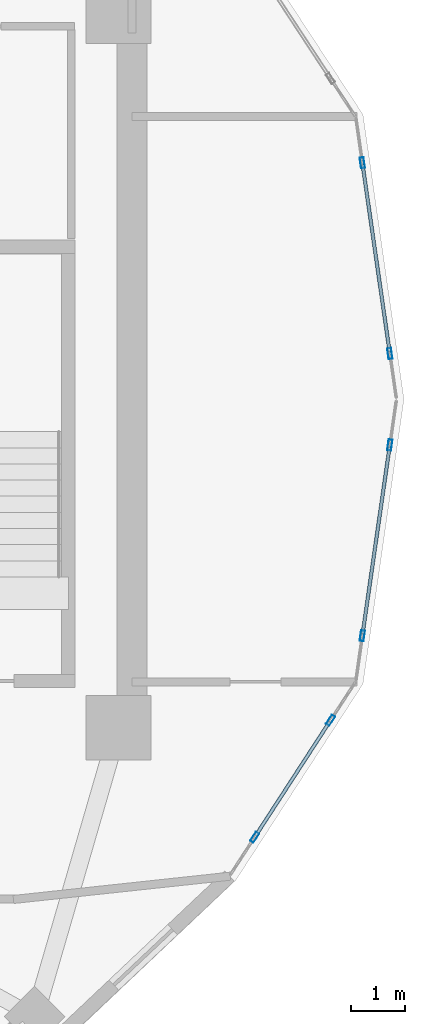
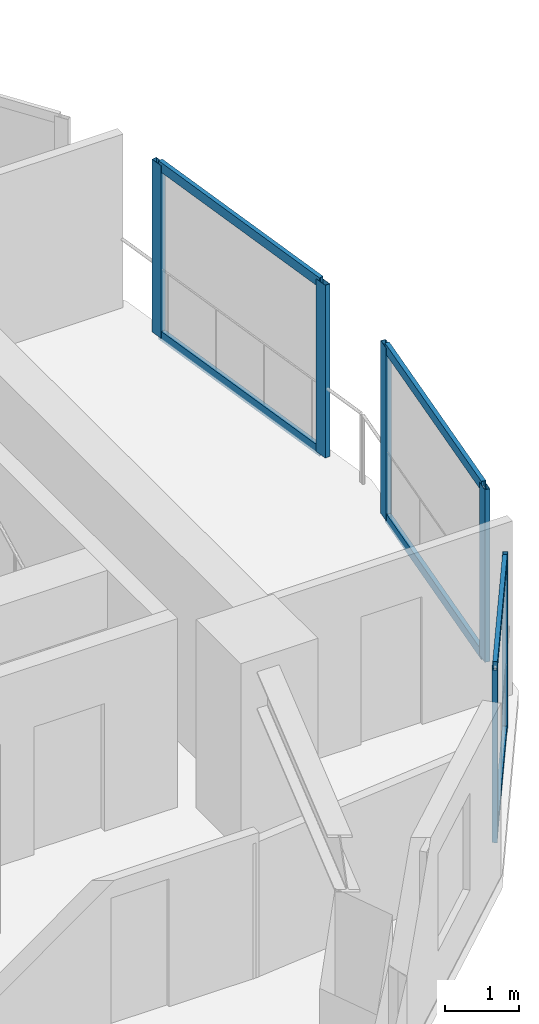
# One storey, part 3 of 12: 12 members, 3 elements without a shape of their own.
"""IFC4 building model written with IfcOpenShell, lengths in metres."""

from ifc_helpers import new_model, si_unit, direction, frame, origin, origin_2d, place, context, subcontext, project, spatial, hollow_rectangle, extrude, material, layer, layer_set, material_profile, profile_set, type_object, element, aggregate, save


model = new_model("IFC4")

# Units and contexts
model_context = context("Model", 3, precision=1e-05, world=origin(), true_north=direction((0.0, 1.0)))
body_context = subcontext(model_context, "Body", "Model", "MODEL_VIEW")
ifc_project = project(units=[si_unit("LENGTHUNIT", "METRE"), si_unit("AREAUNIT", "SQUARE_METRE"), si_unit("VOLUMEUNIT", "CUBIC_METRE"), si_unit("PLANEANGLEUNIT", "RADIAN"), si_unit("MASSUNIT", "GRAM", prefix="KILO")], contexts=[model_context])

# Site, building, storey
site_placement = place(None, origin())
site = spatial("IfcSite", under=ifc_project, at=site_placement, CompositionType="ELEMENT")
building_placement = place(site_placement, origin())
building = spatial("IfcBuilding", under=site, at=building_placement, Name="Solvane Sanctuary Tower", CompositionType="ELEMENT")
storey_placement = place(building_placement, frame((0.0, 0.0, 214.0)))
storey = spatial("IfcBuildingStorey", under=building, at=storey_placement, Name="L65", CompositionType="ELEMENT", Elevation=214.0)

# Curtain wall, members
ifc_material = material(Name="Anodised Aluminium 6063-T6", Category="aluminium")
ifc_layer = layer(ifc_material, 0.2099609375, Name="Anodised Aluminium 6063-T6")
ifc_layer_set = layer_set([ifc_layer], Name="Anodised Aluminium 6063-T6")
curtain_wall_type = type_object("IfcCurtainWallType", Name="Curtain Wall CW-PORTAL", PredefinedType="NOTDEFINED", material=ifc_layer_set)
curtain_wall_1_placement = place(storey_placement, origin())
curtain_wall_1 = element("IfcCurtainWall", 1, at=curtain_wall_1_placement, inside=storey, type_object=curtain_wall_type, Name="L65 CW-PORTAL Facade Run 00", PredefinedType="NOTDEFINED")
ifc_material_profile_1 = material_profile(ifc_material, hollow_rectangle(XDim=0.074951171875, YDim=0.199951171875, WallThickness=0.00390625, at=origin_2d()), Name="ALU200X75X4")
ifc_profile_set_1 = profile_set([ifc_material_profile_1], Name="Anodised Aluminium 6063-T6")
member_type_1 = type_object("IfcMemberType", Name="Member M-CW-MUL-1 ALU200X75X4", PredefinedType="MULLION", material=ifc_profile_set_1)
member_1_placement = place(storey_placement, frame((53.737548828125, 23.8486328125, 0.0), z_axis=(0.0, 0.0, 1.0), x_axis=(-0.989765249591, -0.142705117998, 0.0)))
member_1 = element("IfcMember", 2, at=member_1_placement, type_object=member_type_1, Name="CW-PORTAL mullion 1", PredefinedType="MULLION", context=body_context, shape_type="SweptSolid", body=[
    extrude(hollow_rectangle(XDim=0.074951171875, YDim=0.199951171875, WallThickness=0.00390625, at=origin_2d()), origin(), (0.0, 0.0, 1.0), 2.840087890625),
])
member_2_placement = place(storey_placement, frame((53.22705078125, 27.39013671875, 0.0), z_axis=(0.0, 0.0, 1.0), x_axis=(-0.989765249591, -0.142705117998, 0.0)))
member_2 = element("IfcMember", 3, at=member_2_placement, type_object=member_type_1, Name="CW-PORTAL mullion 2", PredefinedType="MULLION", context=body_context, shape_type="SweptSolid", body=[
    extrude(hollow_rectangle(XDim=0.074951171875, YDim=0.199951171875, WallThickness=0.00390625, at=origin_2d()), origin(), (0.0, 0.0, 1.0), 2.840087890625),
])

curtain_wall_2_placement = place(storey_placement, origin())
curtain_wall_2 = element("IfcCurtainWall", 4, at=curtain_wall_2_placement, inside=storey, type_object=curtain_wall_type, Name="L65 CW-PORTAL Facade Run 22", PredefinedType="NOTDEFINED")
member_3_placement = place(storey_placement, frame((51.227783203125, 14.869873046875, 0.0), z_axis=(0.0, 0.0, 1.0), x_axis=(-0.838777857586, 0.54447378782, 0.0)))
member_3 = element("IfcMember", 5, at=member_3_placement, type_object=member_type_1, Name="CW-PORTAL mullion 1", PredefinedType="MULLION", context=body_context, shape_type="SweptSolid", body=[
    extrude(hollow_rectangle(XDim=0.074951171875, YDim=0.199951171875, WallThickness=0.00390625, at=origin_2d()), origin(), (0.0, 0.0, 1.0), 2.840087890625),
])
member_4_placement = place(storey_placement, frame((52.6376953125, 17.0419921875, 0.0), z_axis=(0.0, 0.0, 1.0), x_axis=(-0.838777857586, 0.54447378782, 0.0)))
member_4 = element("IfcMember", 6, at=member_4_placement, type_object=member_type_1, Name="CW-PORTAL mullion 2", PredefinedType="MULLION", context=body_context, shape_type="SweptSolid", body=[
    extrude(hollow_rectangle(XDim=0.074951171875, YDim=0.199951171875, WallThickness=0.00390625, at=origin_2d()), origin(), (0.0, 0.0, 1.0), 2.840087890625),
])

curtain_wall_3_placement = place(storey_placement, origin())
curtain_wall_3 = element("IfcCurtainWall", 7, at=curtain_wall_3_placement, inside=storey, type_object=curtain_wall_type, Name="L65 CW-PORTAL Facade Run 23", PredefinedType="NOTDEFINED")
member_5_placement = place(storey_placement, frame((53.22705078125, 18.60986328125, 0.0), z_axis=(0.0, 0.0, 1.0), x_axis=(-0.989765249591, 0.142705117998, 0.0)))
member_5 = element("IfcMember", 8, at=member_5_placement, type_object=member_type_1, Name="CW-PORTAL mullion 1", PredefinedType="MULLION", context=body_context, shape_type="SweptSolid", body=[
    extrude(hollow_rectangle(XDim=0.074951171875, YDim=0.199951171875, WallThickness=0.00390625, at=origin_2d()), origin(), (0.0, 0.0, 1.0), 2.840087890625),
])
member_6_placement = place(storey_placement, frame((53.737548828125, 22.1513671875, 0.0), z_axis=(0.0, 0.0, 1.0), x_axis=(-0.989765249591, 0.142705117998, 0.0)))
member_6 = element("IfcMember", 9, at=member_6_placement, type_object=member_type_1, Name="CW-PORTAL mullion 2", PredefinedType="MULLION", context=body_context, shape_type="SweptSolid", body=[
    extrude(hollow_rectangle(XDim=0.074951171875, YDim=0.199951171875, WallThickness=0.00390625, at=origin_2d()), origin(), (0.0, 0.0, 1.0), 2.840087890625),
])

# Member
ifc_material_profile_2 = material_profile(ifc_material, hollow_rectangle(XDim=0.06494140625, YDim=0.159912109375, WallThickness=0.00341796875, at=origin_2d()), Name="ALU160X65X3.5")
ifc_profile_set_2 = profile_set([ifc_material_profile_2], Name="Anodised Aluminium 6063-T6")
member_type_2 = type_object("IfcMemberType", Name="Member M-CW-TRN-1 ALU160X65X3.5", PredefinedType="USERDEFINED", material=ifc_profile_set_2)
member_7_placement = place(storey_placement, frame((53.732177734375, 23.8857421875, 0.032470703125), z_axis=(-0.142660376615, 0.989771699406, 0.0), x_axis=(-0.989771699406, -0.142660376615, 0.0)))
member_7 = element("IfcMember", 10, at=member_7_placement, type_object=member_type_2, Name="CW-PORTAL transom 1.1", ObjectType="TRANSOM", PredefinedType="USERDEFINED", context=body_context, shape_type="SweptSolid", body=[
    extrude(hollow_rectangle(XDim=0.06494140625, YDim=0.159912109375, WallThickness=0.00341796875, at=origin_2d()), origin(), (0.0, 0.0, 1.0), 3.503173828125),
])

member_8_placement = place(storey_placement, frame((53.732177734375, 23.8857421875, 2.8076171875), z_axis=(-0.142660376615, 0.989771699406, 0.0), x_axis=(-0.989771699406, -0.142660376615, 0.0)))
member_8 = element("IfcMember", 11, at=member_8_placement, type_object=member_type_2, Name="CW-PORTAL transom 1.2", ObjectType="TRANSOM", PredefinedType="USERDEFINED", context=body_context, shape_type="SweptSolid", body=[
    extrude(hollow_rectangle(XDim=0.06494140625, YDim=0.159912109375, WallThickness=0.00341796875, at=origin_2d()), origin(), (0.0, 0.0, 1.0), 3.503173828125),
])

aggregate(curtain_wall_1, [member_1, member_2, member_7, member_8])

member_9_placement = place(storey_placement, frame((51.248291015625, 14.9013671875, 0.032470703125), z_axis=(0.544486587531, 0.838769548802, 0.0), x_axis=(-0.838769548802, 0.544486587531, 0.0)))
member_9 = element("IfcMember", 12, at=member_9_placement, type_object=member_type_2, Name="CW-PORTAL transom 1.1", ObjectType="TRANSOM", PredefinedType="USERDEFINED", context=body_context, shape_type="SweptSolid", body=[
    extrude(hollow_rectangle(XDim=0.06494140625, YDim=0.159912109375, WallThickness=0.00341796875, at=origin_2d()), origin(), (0.0, 0.0, 1.0), 2.5146484375),
])

member_10_placement = place(storey_placement, frame((51.248291015625, 14.9013671875, 2.8076171875), z_axis=(0.544486587531, 0.838769548802, 0.0), x_axis=(-0.838769548802, 0.544486587531, 0.0)))
member_10 = element("IfcMember", 13, at=member_10_placement, type_object=member_type_2, Name="CW-PORTAL transom 1.2", ObjectType="TRANSOM", PredefinedType="USERDEFINED", context=body_context, shape_type="SweptSolid", body=[
    extrude(hollow_rectangle(XDim=0.06494140625, YDim=0.159912109375, WallThickness=0.00341796875, at=origin_2d()), origin(), (0.0, 0.0, 1.0), 2.5146484375),
])

aggregate(curtain_wall_2, [member_3, member_4, member_9, member_10])

member_11_placement = place(storey_placement, frame((53.232421875, 18.64697265625, 0.032470703125), z_axis=(0.142660376615, 0.989771699406, 0.0), x_axis=(-0.989771699406, 0.142660376615, 0.0)))
member_11 = element("IfcMember", 14, at=member_11_placement, type_object=member_type_2, Name="CW-PORTAL transom 1.1", ObjectType="TRANSOM", PredefinedType="USERDEFINED", context=body_context, shape_type="SweptSolid", body=[
    extrude(hollow_rectangle(XDim=0.06494140625, YDim=0.159912109375, WallThickness=0.00341796875, at=origin_2d()), origin(), (0.0, 0.0, 1.0), 3.503173828125),
])

member_12_placement = place(storey_placement, frame((53.232421875, 18.64697265625, 2.8076171875), z_axis=(0.142660376615, 0.989771699406, 0.0), x_axis=(-0.989771699406, 0.142660376615, 0.0)))
member_12 = element("IfcMember", 15, at=member_12_placement, type_object=member_type_2, Name="CW-PORTAL transom 1.2", ObjectType="TRANSOM", PredefinedType="USERDEFINED", context=body_context, shape_type="SweptSolid", body=[
    extrude(hollow_rectangle(XDim=0.06494140625, YDim=0.159912109375, WallThickness=0.00341796875, at=origin_2d()), origin(), (0.0, 0.0, 1.0), 3.503173828125),
])

aggregate(curtain_wall_3, [member_5, member_6, member_11, member_12])

save(model, "model.ifc")
